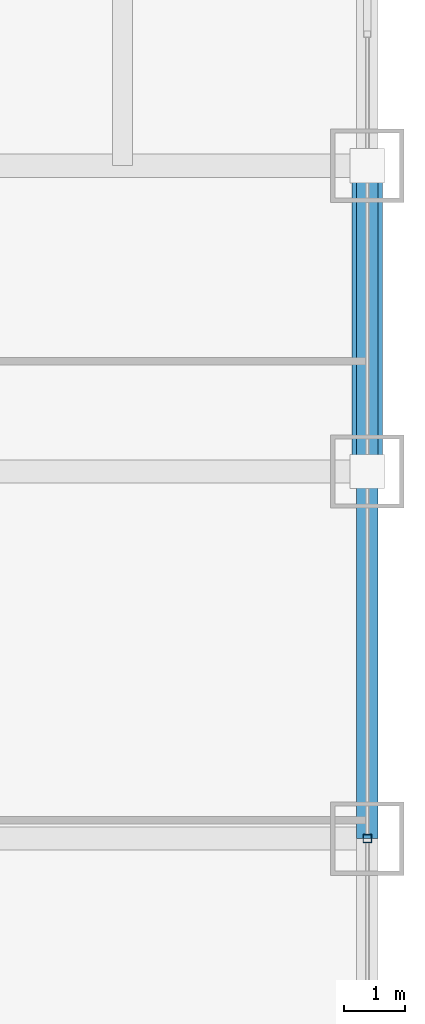
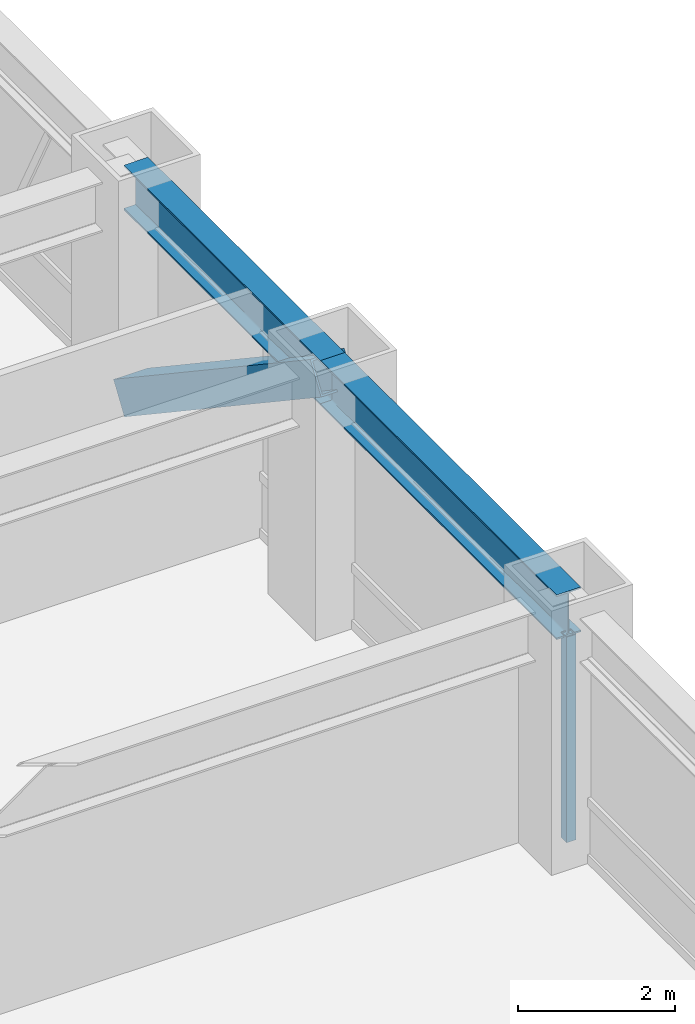
# One storey, part 14 of 32: 2 beams, 2 members, 1 element without a shape of its own.
"""IFC4 building model written with IfcOpenShell, lengths in metres."""

from ifc_helpers import new_model, si_unit, direction, frame, origin, origin_2d, place, context, subcontext, project, spatial, hollow_rectangle, i_section, extrude, source, transform, mapped, material, material_profile, profile_set, type_object, element, aggregate, save


model = new_model("IFC4")

# Units and contexts
model_context = context("Model", 3, precision=1e-05, world=origin(), true_north=direction((0.0, 1.0)))
body_context = subcontext(model_context, "Body", "Model", "MODEL_VIEW")
ifc_project = project(units=[si_unit("LENGTHUNIT", "METRE"), si_unit("AREAUNIT", "SQUARE_METRE"), si_unit("VOLUMEUNIT", "CUBIC_METRE"), si_unit("PLANEANGLEUNIT", "RADIAN"), si_unit("MASSUNIT", "GRAM", prefix="KILO")], contexts=[model_context])

# Site, building, storey
site_placement = place(None, origin())
site = spatial("IfcSite", under=ifc_project, at=site_placement, CompositionType="ELEMENT")
building_placement = place(site_placement, origin())
building = spatial("IfcBuilding", under=site, at=building_placement, Name="Khorayat Bourse Tower", CompositionType="ELEMENT")
storey_placement = place(building_placement, frame((0.0, 0.0, 95.5)))
storey = spatial("IfcBuildingStorey", under=building, at=storey_placement, Name="L21", CompositionType="ELEMENT", Elevation=95.5)

# Beams
ifc_material_1 = material(Name="Steel ASTM A992 Grade 50", Category="steel")
ifc_material_profile_1 = material_profile(ifc_material_1, i_section(OverallWidth=0.35498046875, OverallDepth=0.695068359375, WebThickness=0.015380859375, FlangeThickness=0.02490234375, FilletRadius=0.01806640625, at=origin_2d()), Name="W690X217")
ifc_profile_set_1 = profile_set([ifc_material_profile_1], Name="Steel ASTM A992 Grade 50")
beam_type = type_object("IfcBeamType", Name="BM-SPAN-690", PredefinedType="SPANDREL", material=ifc_profile_set_1)
shared_shape_1 = source(origin(), body_context, "Body", "SweptSolid", [
    extrude(i_section(OverallWidth=0.35498046875, OverallDepth=0.695068359375, WebThickness=0.015380859375, FlangeThickness=0.02490234375, FilletRadius=0.01806640625, at=origin_2d()), origin(), (0.0, 0.0, 1.0), 5.0),
])
beam_1_placement = place(storey_placement, frame((32.0, 6.0, 3.492431640625), z_axis=(0.0, 1.0, 0.0), x_axis=(-1.0, 0.0, 0.0)))
element("IfcBeam", 1, at=beam_1_placement, inside=storey, type_object=beam_type, Name="L21 BM-SPAN-690 BM-L21-SPN-039", PredefinedType="SPANDREL", context=body_context, shape_type="MappedRepresentation", body=[
    mapped(shared_shape_1, transform((0.0, 0.0, 0.0), scale=1.0)),
])
shared_shape_2 = source(origin(), body_context, "Body", "SweptSolid", [
    extrude(i_section(OverallWidth=0.35498046875, OverallDepth=0.695068359375, WebThickness=0.015380859375, FlangeThickness=0.02490234375, FilletRadius=0.01806640625, at=origin_2d()), origin(), (0.0, 0.0, 1.0), 6.0),
])
beam_2_placement = place(storey_placement, frame((32.0, 0.0, 3.492431640625), z_axis=(0.0, 1.0, 0.0), x_axis=(-1.0, 0.0, 0.0)))
element("IfcBeam", 2, at=beam_2_placement, inside=storey, type_object=beam_type, Name="L21 BM-SPAN-690 BM-L21-SPN-038", PredefinedType="SPANDREL", context=body_context, shape_type="MappedRepresentation", body=[
    mapped(shared_shape_2, transform((0.0, 0.0, 0.0), scale=1.0)),
])

# Member
ifc_material_2 = material(Name="Steel EN 10025-4 S460M", Category="steel")
ifc_material_profile_2 = material_profile(ifc_material_2, hollow_rectangle(XDim=0.5, YDim=0.5, WallThickness=0.028076171875, at=origin_2d()), Name="HSS 500x500x28")
ifc_profile_set_2 = profile_set([ifc_material_profile_2], Name="Steel EN 10025-4 S460M")
member_type_1 = type_object("IfcMemberType", Name="MBR-TUBE-500", PredefinedType="BRACE", material=ifc_profile_set_2)
shared_shape_3 = source(origin(), body_context, "Body", "SweptSolid", [
    extrude(hollow_rectangle(XDim=0.5, YDim=0.5, WallThickness=0.028076171875, at=origin_2d()), origin(), (0.0, 0.0, 1.0), 6.012939453125),
])
member_1_placement = place(storey_placement, frame((32.0, 6.0, 3.590087890625), z_axis=(0.0, 0.831531473026, -0.555477640745), x_axis=(-1.0, 0.0, 0.0)))
element("IfcMember", 3, at=member_1_placement, inside=storey, type_object=member_type_1, Name="L21 Perimeter Tube Brace 08", PredefinedType="BRACE", context=body_context, shape_type="MappedRepresentation", body=[
    mapped(shared_shape_3, transform((0.0, 0.0, 0.0), scale=1.0)),
])

# Curtain wall, member
ifc_material_3 = material(Name="Aluminium EN AW-6063 T6", Category="aluminium")
curtain_wall_type = type_object("IfcCurtainWallType", Name="CW-SYS-02", PredefinedType="NOTDEFINED", material=ifc_material_3)
curtain_wall_placement = place(storey_placement, origin())
curtain_wall = element("IfcCurtainWall", 4, at=curtain_wall_placement, inside=storey, type_object=curtain_wall_type, Name="L21 Curtain Wall CW-L21-E1", PredefinedType="NOTDEFINED")
ifc_material_profile_3 = material_profile(ifc_material_3, hollow_rectangle(XDim=0.139892578125, YDim=0.139892578125, WallThickness=0.006103515625, at=origin_2d()), Name="ALU 140x140x6")
ifc_profile_set_3 = profile_set([ifc_material_profile_3], Name="Aluminium EN AW-6063 T6")
member_type_2 = type_object("IfcMemberType", Name="CWM-VERT-140", PredefinedType="MULLION", material=ifc_profile_set_3)
shared_shape_4 = source(origin(), body_context, "Body", "SweptSolid", [
    extrude(hollow_rectangle(XDim=0.139892578125, YDim=0.139892578125, WallThickness=0.006103515625, at=origin_2d()), origin(), (0.0, 0.0, 1.0), 3.18994140625),
])
member_2_placement = place(storey_placement, frame((32.0, 0.0, 0.0), z_axis=(0.0, 0.0, 1.0), x_axis=(-1.0, 0.0, 0.0)))
member_2 = element("IfcMember", 5, at=member_2_placement, type_object=member_type_2, Name="CW-L21-E1 Vertical Mullion 2", PredefinedType="MULLION", context=body_context, shape_type="MappedRepresentation", body=[
    mapped(shared_shape_4, transform((0.0, 0.0, 0.0), scale=1.0)),
])
aggregate(curtain_wall, [member_2])

save(model, "model.ifc")
